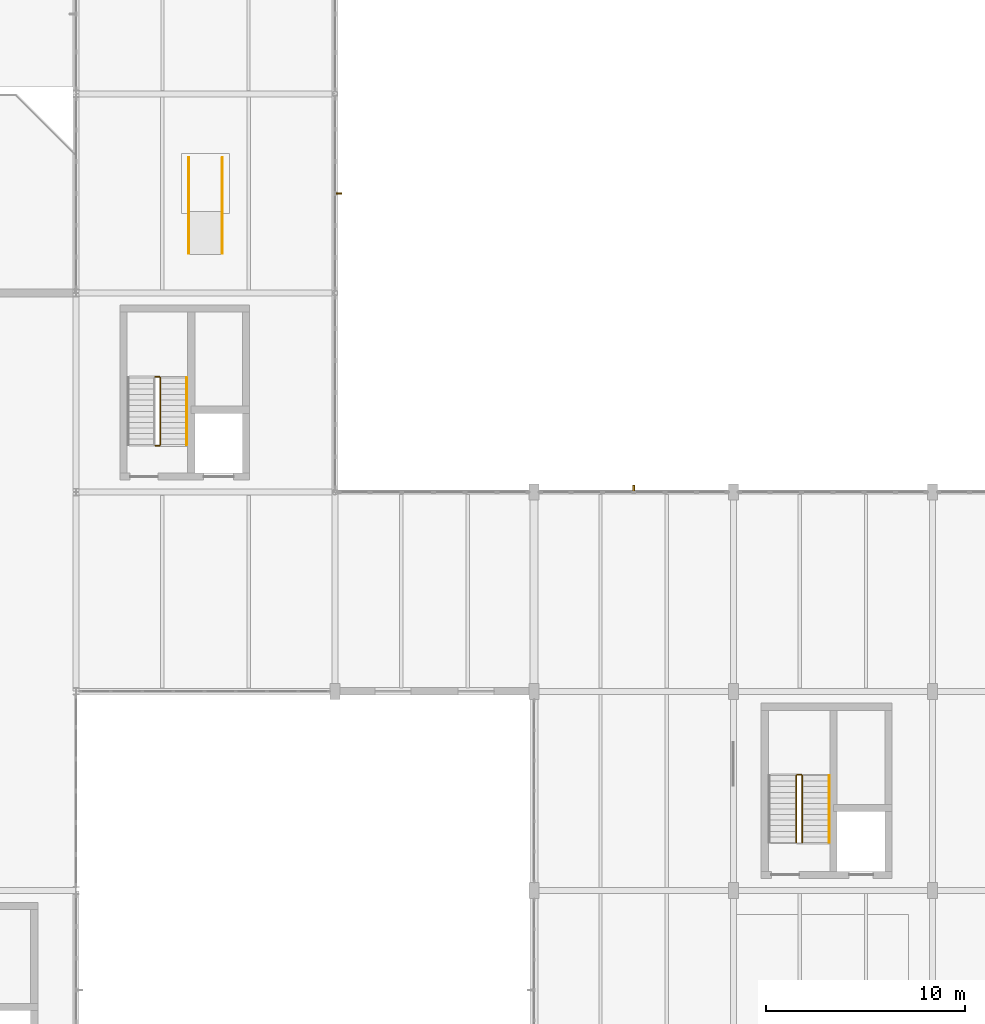
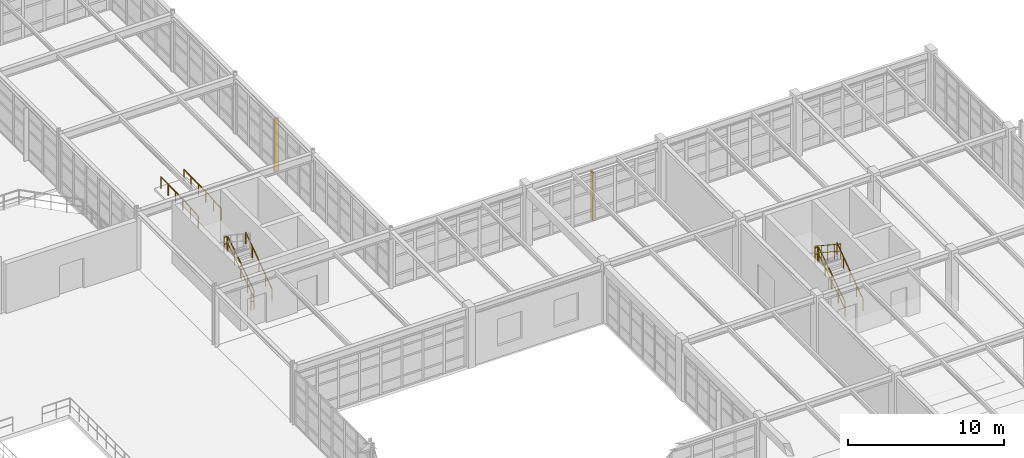
# One storey, part 138 of 139: 10 railings, 2 shading devices.
"""IFC4 building model written with IfcOpenShell, lengths in metres."""

from ifc_helpers import new_model, si_unit, direction, frame, origin, origin_2d, place, context, subcontext, project, spatial, rectangle, circle, extrude, material, type_object, element, save


model = new_model("IFC4")

# Units and contexts
model_context = context("Model", 3, precision=1e-05, world=origin(), true_north=direction((0.0, 1.0)))
body_context = subcontext(model_context, "Body", "Model", "MODEL_VIEW")
ifc_project = project(units=[si_unit("LENGTHUNIT", "METRE"), si_unit("AREAUNIT", "SQUARE_METRE"), si_unit("VOLUMEUNIT", "CUBIC_METRE"), si_unit("PLANEANGLEUNIT", "RADIAN"), si_unit("MASSUNIT", "GRAM", prefix="KILO"), si_unit("THERMODYNAMICTEMPERATUREUNIT", "KELVIN"), si_unit("POWERUNIT", "WATT")], contexts=[model_context])

# Site, building, storey
site_placement = place(None, origin())
site = spatial("IfcSite", under=ifc_project, at=site_placement, CompositionType="ELEMENT")
building_placement = place(site_placement, origin())
building = spatial("IfcBuilding", under=site, at=building_placement, Name="Korenveer Ferry Terminal", CompositionType="ELEMENT")
storey_placement = place(building_placement, frame((0.0, 0.0, 5.39990234375)))
storey = spatial("IfcBuildingStorey", under=building, at=storey_placement, Name="L01", CompositionType="ELEMENT", Elevation=5.39990234375)

# Shading devices
ifc_material_1 = material(Name="Anodised bronze aluminium solar fin", Category="aluminium")
shading_device_type = type_object("IfcShadingDeviceType", Name="ENV-SHD-FIN", PredefinedType="JALOUSIE", material=ifc_material_1)
shading_device_1_placement = place(storey_placement, frame((151.0, 80.159912109375, -0.02001953125), z_axis=(0.0, 0.0, 1.0), x_axis=(0.0, 1.0, 0.0)))
element("IfcShadingDevice", 1, at=shading_device_1_placement, inside=storey, type_object=shading_device_type, Name="Gothic solar fin 23", PredefinedType="JALOUSIE", context=body_context, shape_type="SweptSolid", body=[
    extrude(rectangle(XDim=0.360107421875, YDim=0.080078125, at=origin_2d()), origin(), (0.0, 0.0, 1.0), 3.7900390625),
])
shading_device_2_placement = place(storey_placement, frame((136.159912109375, 95.0, -0.019775390625), z_axis=(0.0, 0.0, 1.0), x_axis=(1.0, 0.0, 0.0)))
element("IfcShadingDevice", 2, at=shading_device_2_placement, inside=storey, type_object=shading_device_type, Name="Gothic solar fin 34", PredefinedType="JALOUSIE", context=body_context, shape_type="SweptSolid", body=[
    extrude(rectangle(XDim=0.360107421875, YDim=0.080078125, at=origin_2d()), origin(), (0.0, 0.0, 1.0), 4.14990234375),
])

# Railings
ifc_material_2 = material(Name="Brushed stainless steel handrail", Category="steel")
railing_type_1 = type_object("IfcRailingType", Name="INT-RL-HND90", PredefinedType="HANDRAIL", material=ifc_material_2)
for number, where, name in (
    (3, (160.81005859375, 62.409912109375, 0.184814453125), "L01 ST04 stair handrail 1"),
    (4, (128.550048828125, 82.3798828125, 0.184814453125), "L01 ST08 stair handrail 1"),
):
    element("IfcRailing", number, at=place(storey_placement, frame(where)), inside=storey, type_object=railing_type_1, Name=name, PredefinedType="HANDRAIL", context=body_context, shape_type="SweptSolid", body=[
        extrude(circle(Radius=0.02392578125, at=origin_2d()), frame((0.0, 0.0, 0.8759765625), z_axis=(0.0, 0.813753445783, 0.581210228297), x_axis=(-1.0, 0.0, 0.0)), (0.0, 0.0, 1.0), 4.129150390625),
        extrude(circle(Radius=0.02099609375, at=origin_2d()), origin(), (0.0, 0.0, 1.0), 0.851806640625),
        extrude(circle(Radius=0.02099609375, at=origin_2d()), frame((0.0, 0.840087890625, 0.60009765625)), (0.0, 0.0, 1.0), 0.851806640625),
        extrude(circle(Radius=0.02099609375, at=origin_2d()), frame((0.0, 1.68017578125, 1.199951171875)), (0.0, 0.0, 1.0), 0.851806640625),
        extrude(circle(Radius=0.02099609375, at=origin_2d()), frame((0.0, 2.52001953125, 1.7998046875)), (0.0, 0.0, 1.0), 0.851806640625),
        extrude(circle(Radius=0.02099609375, at=origin_2d()), frame((0.0, 3.360107421875, 2.39990234375)), (0.0, 0.0, 1.0), 0.851806640625),
    ])
ifc_material_3 = material(Name="Brushed stainless steel ramp handrail", Category="steel")
railing_type_2 = type_object("IfcRailingType", Name="INT-RL-RMPHND", PredefinedType="HANDRAIL", material=ifc_material_3)
for number, where, name in (
    (5, (128.64990234375, 92.0, 0.0), "East Berth Gate Accessible Ramp handrail W"),
    (6, (130.35009765625, 92.0, 0.0), "East Berth Gate Accessible Ramp handrail E"),
):
    element("IfcRailing", number, at=place(storey_placement, frame(where)), inside=storey, type_object=railing_type_2, Name=name, PredefinedType="HANDRAIL", context=body_context, shape_type="SweptSolid", body=[
        extrude(circle(Radius=0.02392578125, at=origin_2d()), frame((0.0, 0.0, 0.8759765625), z_axis=(0.0, 0.996809085095, 0.079822602517), x_axis=(-1.0, 0.0, 0.0)), (0.0, 0.0, 1.0), 2.00634765625),
        extrude(circle(Radius=0.02392578125, at=origin_2d()), frame((0.0, 2.0, 1.0361328125), z_axis=(0.0, 1.0, 0.0), x_axis=(-1.0, 0.0, 0.0)), (0.0, 0.0, 1.0), 2.800048828125),
        extrude(circle(Radius=0.02099609375, at=origin_2d()), origin(), (0.0, 0.0, 1.0), 0.851806640625),
        extrude(circle(Radius=0.02099609375, at=origin_2d()), frame((0.0, 1.0, 0.080078125)), (0.0, 0.0, 1.0), 0.851806640625),
        extrude(circle(Radius=0.02099609375, at=origin_2d()), frame((0.0, 2.0, 0.16015625)), (0.0, 0.0, 1.0), 0.851806640625),
        extrude(circle(Radius=0.02099609375, at=origin_2d()), frame((0.0, 2.933349609375, 0.16015625)), (0.0, 0.0, 1.0), 0.851806640625),
        extrude(circle(Radius=0.02099609375, at=origin_2d()), frame((0.0, 3.86669921875, 0.16015625)), (0.0, 0.0, 1.0), 0.851806640625),
        extrude(circle(Radius=0.02099609375, at=origin_2d()), frame((0.0, 4.800048828125, 0.16015625)), (0.0, 0.0, 1.0), 0.851806640625),
    ])
ifc_material_4 = material(Name="Painted steel stair guard", Category="steel")
railing_type_3 = type_object("IfcRailingType", Name="INT-RL-STGRD", PredefinedType="GUARDRAIL", material=ifc_material_4)
railing_1_placement = place(storey_placement, frame((159.4599609375, 62.409912109375, 0.184814453125)))
element("IfcRailing", 7, at=railing_1_placement, inside=storey, type_object=railing_type_3, Name="L01 ST04 stair guard 1", PredefinedType="GUARDRAIL", context=body_context, shape_type="SweptSolid", body=[
    extrude(circle(Radius=0.02392578125, at=origin_2d()), frame((0.0, 0.0, 1.17578125), z_axis=(0.0, 0.834876476806, 0.550437342915), x_axis=(-1.0, 0.0, 0.0)), (0.0, 0.0, 1.0), 4.024658203125),
    extrude(circle(Radius=0.01806640625, at=origin_2d()), frame((0.0, 0.0, 0.6240234375), z_axis=(0.0, 0.834876476806, 0.550437342915), x_axis=(-1.0, 0.0, 0.0)), (0.0, 0.0, 1.0), 4.024658203125),
    extrude(circle(Radius=0.02099609375, at=origin_2d()), origin(), (0.0, 0.0, 1.0), 1.15185546875),
    extrude(circle(Radius=0.02099609375, at=origin_2d()), frame((0.0, 0.840087890625, 0.5537109375)), (0.0, 0.0, 1.0), 1.15185546875),
    extrude(circle(Radius=0.02099609375, at=origin_2d()), frame((0.0, 1.68017578125, 1.107666015625)), (0.0, 0.0, 1.0), 1.15185546875),
    extrude(circle(Radius=0.02099609375, at=origin_2d()), frame((0.0, 2.52001953125, 1.66162109375)), (0.0, 0.0, 1.0), 1.15185546875),
    extrude(circle(Radius=0.02099609375, at=origin_2d()), frame((0.0, 3.360107421875, 2.21533203125)), (0.0, 0.0, 1.0), 1.15185546875),
])
railing_2_placement = place(storey_placement, frame((159.409912109375, 65.820068359375, 2.400146484375)))
element("IfcRailing", 8, at=railing_2_placement, inside=storey, type_object=railing_type_3, Name="L01 ST04 stair guard 2", PredefinedType="GUARDRAIL", context=body_context, shape_type="SweptSolid", body=[
    extrude(circle(Radius=0.02392578125, at=origin_2d()), frame((0.0, 0.0, 1.17578125), z_axis=(-1.0, 0.0, 0.0), x_axis=(0.0, -1.0, 0.0)), (0.0, 0.0, 1.0), 0.199951171875),
    extrude(circle(Radius=0.01806640625, at=origin_2d()), frame((0.0, 0.0, 0.6240234375), z_axis=(-1.0, 0.0, 0.0), x_axis=(0.0, -1.0, 0.0)), (0.0, 0.0, 1.0), 0.199951171875),
    extrude(circle(Radius=0.02099609375, at=origin_2d()), origin(), (0.0, 0.0, 1.0), 1.15185546875),
    extrude(circle(Radius=0.02099609375, at=origin_2d()), frame((-0.199951171875, 0.0, 0.0)), (0.0, 0.0, 1.0), 1.15185546875),
])
railing_3_placement = place(storey_placement, frame((159.159912109375, 65.77001953125, 2.584716796875)))
element("IfcRailing", 9, at=railing_3_placement, inside=storey, type_object=railing_type_3, Name="L01 ST04 stair guard 3", PredefinedType="GUARDRAIL", context=body_context, shape_type="SweptSolid", body=[
    extrude(circle(Radius=0.02392578125, at=origin_2d()), frame((0.0, 0.0, 1.17578125), z_axis=(0.0, -0.834876476806, 0.550437342915), x_axis=(1.0, 0.0, 0.0)), (0.0, 0.0, 1.0), 4.024658203125),
    extrude(circle(Radius=0.01806640625, at=origin_2d()), frame((0.0, 0.0, 0.6240234375), z_axis=(0.0, -0.834876476806, 0.550437342915), x_axis=(1.0, 0.0, 0.0)), (0.0, 0.0, 1.0), 4.024658203125),
    extrude(circle(Radius=0.02099609375, at=origin_2d()), origin(), (0.0, 0.0, 1.0), 1.15185546875),
    extrude(circle(Radius=0.02099609375, at=origin_2d()), frame((0.0, -0.840087890625, 0.5537109375)), (0.0, 0.0, 1.0), 1.15185546875),
    extrude(circle(Radius=0.02099609375, at=origin_2d()), frame((0.0, -1.68017578125, 1.107666015625)), (0.0, 0.0, 1.0), 1.15185546875),
    extrude(circle(Radius=0.02099609375, at=origin_2d()), frame((0.0, -2.52001953125, 1.66162109375)), (0.0, 0.0, 1.0), 1.15185546875),
    extrude(circle(Radius=0.02099609375, at=origin_2d()), frame((0.0, -3.360107421875, 2.21533203125)), (0.0, 0.0, 1.0), 1.15185546875),
])
railing_4_placement = place(storey_placement, frame((127.22998046875, 82.3798828125, 0.184814453125)))
element("IfcRailing", 10, at=railing_4_placement, inside=storey, type_object=railing_type_3, Name="L01 ST08 stair guard 1", PredefinedType="GUARDRAIL", context=body_context, shape_type="SweptSolid", body=[
    extrude(circle(Radius=0.02392578125, at=origin_2d()), frame((0.0, 0.0, 1.17578125), z_axis=(0.0, 0.834876476806, 0.550437342915), x_axis=(-1.0, 0.0, 0.0)), (0.0, 0.0, 1.0), 4.024658203125),
    extrude(circle(Radius=0.01806640625, at=origin_2d()), frame((0.0, 0.0, 0.6240234375), z_axis=(0.0, 0.834876476806, 0.550437342915), x_axis=(-1.0, 0.0, 0.0)), (0.0, 0.0, 1.0), 4.024658203125),
    extrude(circle(Radius=0.02099609375, at=origin_2d()), origin(), (0.0, 0.0, 1.0), 1.15185546875),
    extrude(circle(Radius=0.02099609375, at=origin_2d()), frame((0.0, 0.840087890625, 0.5537109375)), (0.0, 0.0, 1.0), 1.15185546875),
    extrude(circle(Radius=0.02099609375, at=origin_2d()), frame((0.0, 1.68017578125, 1.107666015625)), (0.0, 0.0, 1.0), 1.15185546875),
    extrude(circle(Radius=0.02099609375, at=origin_2d()), frame((0.0, 2.52001953125, 1.66162109375)), (0.0, 0.0, 1.0), 1.15185546875),
    extrude(circle(Radius=0.02099609375, at=origin_2d()), frame((0.0, 3.360107421875, 2.21533203125)), (0.0, 0.0, 1.0), 1.15185546875),
])
for number, where, name in (
    (11, (127.179931640625, 85.7900390625, 2.400146484375), "L01 ST08 stair guard 2"),
    (12, (127.179931640625, 82.330078125, 0.0), "L01 ST08 stair guard 4"),
):
    element("IfcRailing", number, at=place(storey_placement, frame(where)), inside=storey, type_object=railing_type_3, Name=name, PredefinedType="GUARDRAIL", context=body_context, shape_type="SweptSolid", body=[
        extrude(circle(Radius=0.02392578125, at=origin_2d()), frame((0.0, 0.0, 1.17578125), z_axis=(-1.0, 0.0, 0.0), x_axis=(0.0, -1.0, 0.0)), (0.0, 0.0, 1.0), 0.199951171875),
        extrude(circle(Radius=0.01806640625, at=origin_2d()), frame((0.0, 0.0, 0.6240234375), z_axis=(-1.0, 0.0, 0.0), x_axis=(0.0, -1.0, 0.0)), (0.0, 0.0, 1.0), 0.199951171875),
        extrude(circle(Radius=0.02099609375, at=origin_2d()), origin(), (0.0, 0.0, 1.0), 1.15185546875),
        extrude(circle(Radius=0.02099609375, at=origin_2d()), frame((-0.199951171875, 0.0, 0.0)), (0.0, 0.0, 1.0), 1.15185546875),
    ])

save(model, "model.ifc")
